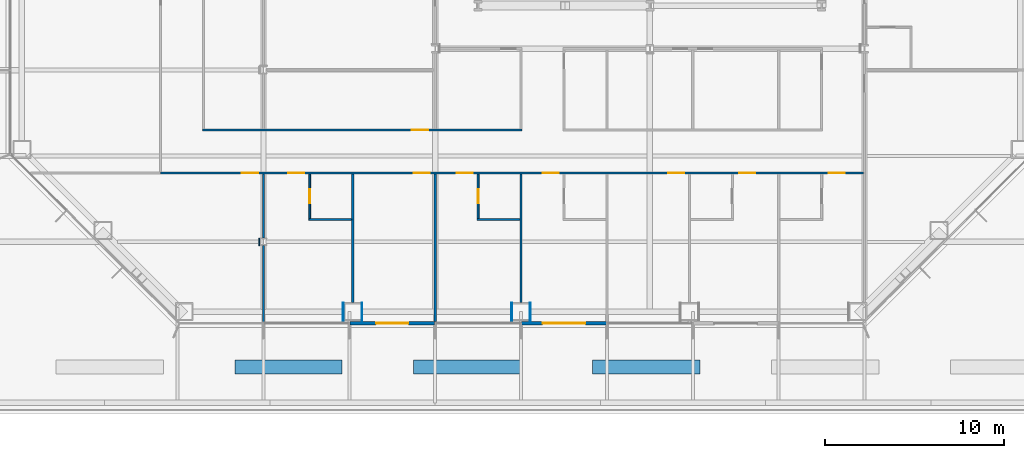
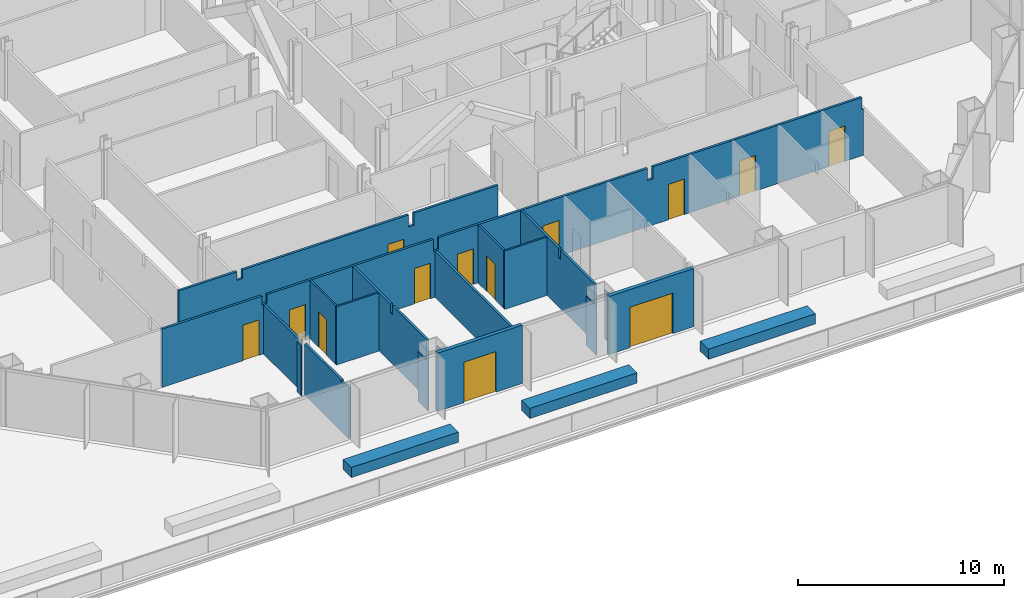
# One storey, part 9 of 18: 21 walls, 13 doors, 13 openings.
"""IFC4 building model written with IfcOpenShell, lengths in metres."""

from ifc_helpers import new_model, si_unit, direction, frame, frame_2d, origin, place, context, subcontext, project, spatial, polyline, rectangle, outline, extrude, material, layer, layer_set, type_object, element, fill, save


model = new_model("IFC4")

# Units and contexts
model_context = context("Model", 3, precision=1e-05, world=origin(), true_north=direction((0.0, 1.0)))
body_context = subcontext(model_context, "Body", "Model", "MODEL_VIEW")
ifc_project = project(units=[si_unit("LENGTHUNIT", "METRE"), si_unit("AREAUNIT", "SQUARE_METRE"), si_unit("VOLUMEUNIT", "CUBIC_METRE"), si_unit("PLANEANGLEUNIT", "RADIAN"), si_unit("MASSUNIT", "GRAM", prefix="KILO")], contexts=[model_context])

# Site, building, storey
site_placement = place(None, origin())
site = spatial("IfcSite", under=ifc_project, at=site_placement, CompositionType="ELEMENT")
building_placement = place(site_placement, origin())
building = spatial("IfcBuilding", under=site, at=building_placement, Name="Cairn Pilgrim Tower", CompositionType="ELEMENT")
storey_placement = place(building_placement, frame((0.0, 0.0, 40.199951171875)))
storey = spatial("IfcBuildingStorey", under=building, at=storey_placement, Name="L07", CompositionType="ELEMENT", Elevation=40.199951171875)

# Wall, opening, door
ifc_material_1 = material(Name="Bronze anodised aluminium insulated sandwich panel with mineral wool fill", Category="aluminium")
ifc_layer_1 = layer(ifc_material_1, 0.199951171875)
ifc_layer_set_1 = layer_set([ifc_layer_1], Name="BRONZE INFILL FRAME WALL 200")
wall_type_1 = type_object("IfcWallType", Name="BRONZE INFILL FRAME WALL 200", PredefinedType="NOTDEFINED", material=ifc_layer_set_1)
wall_1_placement = place(storey_placement, frame((-9.570068359375, -23.75, 0.0), z_axis=(0.0, 0.0, 1.0), x_axis=(1.0, 0.0, 0.0)))
wall_1 = element("IfcWall", 1, at=wall_1_placement, inside=storey, type_object=wall_type_1, Name="Bronze infill frame wall IW-S3", PredefinedType="NOTDEFINED", context=body_context, shape_type="SweptSolid", body=[
    extrude(rectangle(XDim=4.739990234375, YDim=0.199951171875, at=frame_2d((2.3701171875, 0.0))), origin(), (0.0, 0.0, 1.0), 3.449951171875),
])
opening_1_placement = place(wall_1_placement, frame((1.469970703125, 0.0, 0.0)))
opening_1 = element("IfcOpeningElement", 2, at=opening_1_placement, cuts=wall_1, Name="Opening 0703B", PredefinedType="OPENING", context=body_context, shape_type="SweptSolid", body=[
    extrude(rectangle(XDim=1.800048828125, YDim=2.39990234375, at=frame_2d((0.89990234375, 1.199951171875))), frame((0.0, 0.10986328125, 0.0), z_axis=(0.0, -1.0, 0.0), x_axis=(1.0, 0.0, 0.0)), (0.0, 0.0, 1.0), 0.219970703125),
])
ifc_material_2 = material(Name="Bronze anodised aluminium frame with tinted low-E glass", Category="aluminium")
door_type_1 = type_object("IfcDoorType", Name="BALCONY SLIDING DOOR 1800x2400", OperationType="DOUBLE_DOOR_SLIDING", PredefinedType="DOOR", material=ifc_material_2)
door_1_placement = place(opening_1_placement, origin())
door_1 = element("IfcDoor", 3, at=door_1_placement, inside=storey, type_object=door_type_1, Name="Balcony sliding door 0703B", OperationType="SINGLE_SWING_LEFT", OverallHeight=2.39990234375, OverallWidth=1.800048828125, PredefinedType="DOOR", context=body_context, shape_type="SweptSolid", body=[
    extrude(rectangle(XDim=1.800048828125, YDim=2.39990234375, at=frame_2d((0.89990234375, 1.199951171875))), frame((0.0, 0.02490234375, 0.0), z_axis=(0.0, -1.0, 0.0), x_axis=(1.0, 0.0, 0.0)), (0.0, 0.0, 1.0), 0.050048828125),
])
fill(opening_1, door_1)

wall_2_placement = place(storey_placement, frame((0.030029296875, -23.75, 0.0), z_axis=(0.0, 0.0, 1.0), x_axis=(1.0, 0.0, 0.0)))
wall_2 = element("IfcWall", 4, at=wall_2_placement, inside=storey, type_object=wall_type_1, Name="Bronze infill frame wall IW-S5", PredefinedType="NOTDEFINED", context=body_context, shape_type="SweptSolid", body=[
    extrude(rectangle(XDim=4.739990234375, YDim=0.199951171875, at=frame_2d((2.3701171875, 0.0))), origin(), (0.0, 0.0, 1.0), 3.449951171875),
])
opening_2_placement = place(wall_2_placement, frame((1.169921875, 0.0, 0.0)))
opening_2 = element("IfcOpeningElement", 5, at=opening_2_placement, cuts=wall_2, Name="Opening 0705B", PredefinedType="OPENING", context=body_context, shape_type="SweptSolid", body=[
    extrude(rectangle(XDim=2.39990234375, YDim=2.39990234375, at=frame_2d((1.199951171875, 1.199951171875))), frame((0.0, 0.10986328125, 0.0), z_axis=(0.0, -1.0, 0.0), x_axis=(1.0, 0.0, 0.0)), (0.0, 0.0, 1.0), 0.219970703125),
])
door_type_2 = type_object("IfcDoorType", Name="BALCONY SLIDING DOOR 2400x2400", OperationType="DOUBLE_DOOR_SLIDING", PredefinedType="DOOR", material=ifc_material_2)
door_2_placement = place(opening_2_placement, origin())
door_2 = element("IfcDoor", 6, at=door_2_placement, inside=storey, type_object=door_type_2, Name="Balcony sliding door 0705B", OperationType="SINGLE_SWING_LEFT", OverallHeight=2.39990234375, OverallWidth=2.39990234375, PredefinedType="DOOR", context=body_context, shape_type="SweptSolid", body=[
    extrude(rectangle(XDim=2.39990234375, YDim=2.39990234375, at=frame_2d((1.199951171875, 1.199951171875))), frame((0.0, 0.02490234375, 0.0), z_axis=(0.0, -1.0, 0.0), x_axis=(1.0, 0.0, 0.0)), (0.0, 0.0, 1.0), 0.050048828125),
])
fill(opening_2, door_2)

# Wall
ifc_material_3 = material(Name="Gypsum partition")
ifc_layer_2 = layer(ifc_material_3, 0.10009765625)
ifc_layer_set_2 = layer_set([ifc_layer_2], Name="PARTITION 100 DRYWALL")
wall_type_2 = type_object("IfcWallType", Name="PARTITION 100 DRYWALL", PredefinedType="PARTITIONING", material=ifc_layer_set_2)
wall_3_placement = place(storey_placement, frame((-11.864013671875, -17.949951171875, 0.0), z_axis=(0.0, 0.0, 1.0), x_axis=(1.0, 0.0, 0.0)))
element("IfcWall", 7, at=wall_3_placement, inside=storey, type_object=wall_type_2, Name="PARTITION W011", PredefinedType="PARTITIONING", context=body_context, shape_type="SweptSolid", body=[
    extrude(rectangle(XDim=2.387451171875, YDim=0.10009765625, at=frame_2d((1.19384765625, 0.0))), origin(), (0.0, 0.0, 1.0), 3.449951171875),
])

# Wall, opening, door
wall_4_placement = place(storey_placement, frame((-11.81396484375, -17.89990234375, 0.0), z_axis=(0.0, 0.0, 1.0), x_axis=(0.0, 1.0, 0.0)))
wall_4 = element("IfcWall", 8, at=wall_4_placement, inside=storey, type_object=wall_type_2, Name="PARTITION W012", PredefinedType="PARTITIONING", context=body_context, shape_type="SweptSolid", body=[
    extrude(rectangle(XDim=2.4873046875, YDim=0.10009765625, at=frame_2d((1.24365234375, 0.0))), origin(), (0.0, 0.0, 1.0), 3.449951171875),
])
opening_3_placement = place(wall_4_placement, frame((0.85009765625, 0.0, 0.0)))
opening_3 = element("IfcOpeningElement", 9, at=opening_3_placement, cuts=wall_4, Name="Opening 0702E", PredefinedType="OPENING", context=body_context, shape_type="SweptSolid", body=[
    extrude(rectangle(XDim=0.800048828125, YDim=2.10009765625, at=frame_2d((0.39990234375, 1.050048828125))), frame((0.0, 0.06005859375, 0.0), z_axis=(0.0, -1.0, 0.0), x_axis=(1.0, 0.0, 0.0)), (0.0, 0.0, 1.0), 0.1201171875),
])
ifc_material_4 = material(Name="Timber door leaf", Category="wood")
door_type_3 = type_object("IfcDoorType", Name="DOOR 800x2100", OperationType="NOTDEFINED", PredefinedType="DOOR", material=ifc_material_4)
door_3_placement = place(opening_3_placement, frame((0.800048828125, 0.0, 0.0), z_axis=(0.0, 0.0, 1.0), x_axis=(-1.0, 0.0, 0.0)))
door_3 = element("IfcDoor", 10, at=door_3_placement, inside=storey, type_object=door_type_3, Name="DOOR 0702E", OperationType="SINGLE_SWING_RIGHT", OverallHeight=2.10009765625, OverallWidth=0.800048828125, PredefinedType="DOOR", context=body_context, shape_type="SweptSolid", body=[
    extrude(rectangle(XDim=0.800048828125, YDim=2.10009765625, at=frame_2d((0.39990234375, 1.050048828125))), frame((0.0, 0.02490234375, 0.0), z_axis=(0.0, -1.0, 0.0), x_axis=(1.0, 0.0, 0.0)), (0.0, 0.0, 1.0), 0.050048828125),
])
fill(opening_3, door_3)

# Wall
wall_5_placement = place(storey_placement, frame((-2.449951171875, -17.949951171875, 0.0), z_axis=(0.0, 0.0, 1.0), x_axis=(1.0, 0.0, 0.0)))
element("IfcWall", 11, at=wall_5_placement, inside=storey, type_object=wall_type_2, Name="PARTITION W013", PredefinedType="PARTITIONING", context=body_context, shape_type="SweptSolid", body=[
    extrude(rectangle(XDim=2.387451171875, YDim=0.10009765625, at=frame_2d((1.19384765625, 0.0))), origin(), (0.0, 0.0, 1.0), 3.449951171875),
])

# Wall, opening, door
wall_6_placement = place(storey_placement, frame((-2.39990234375, -17.89990234375, 0.0), z_axis=(0.0, 0.0, 1.0), x_axis=(0.0, 1.0, 0.0)))
wall_6 = element("IfcWall", 12, at=wall_6_placement, inside=storey, type_object=wall_type_2, Name="PARTITION W014", PredefinedType="PARTITIONING", context=body_context, shape_type="SweptSolid", body=[
    extrude(rectangle(XDim=2.4873046875, YDim=0.10009765625, at=frame_2d((1.24365234375, 0.0))), origin(), (0.0, 0.0, 1.0), 3.449951171875),
])
opening_4_placement = place(wall_6_placement, frame((0.85009765625, 0.0, 0.0)))
opening_4 = element("IfcOpeningElement", 13, at=opening_4_placement, cuts=wall_6, Name="Opening 0704E", PredefinedType="OPENING", context=body_context, shape_type="SweptSolid", body=[
    extrude(rectangle(XDim=0.800048828125, YDim=2.10009765625, at=frame_2d((0.39990234375, 1.050048828125))), frame((0.0, 0.06005859375, 0.0), z_axis=(0.0, -1.0, 0.0), x_axis=(1.0, 0.0, 0.0)), (0.0, 0.0, 1.0), 0.1201171875),
])
door_4_placement = place(opening_4_placement, frame((0.800048828125, 0.0, 0.0), z_axis=(0.0, 0.0, 1.0), x_axis=(-1.0, 0.0, 0.0)))
door_4 = element("IfcDoor", 14, at=door_4_placement, inside=storey, type_object=door_type_3, Name="DOOR 0704E", OperationType="SINGLE_SWING_LEFT", OverallHeight=2.10009765625, OverallWidth=0.800048828125, PredefinedType="DOOR", context=body_context, shape_type="SweptSolid", body=[
    extrude(rectangle(XDim=0.800048828125, YDim=2.10009765625, at=frame_2d((0.39990234375, 1.050048828125))), frame((0.0, 0.02490234375, 0.0), z_axis=(0.0, -1.0, 0.0), x_axis=(1.0, 0.0, 0.0)), (0.0, 0.0, 1.0), 0.050048828125),
])
fill(opening_4, door_4)

# Walls
ifc_layer_3 = layer(ifc_material_3, 0.125)
ifc_layer_set_3 = layer_set([ifc_layer_3], Name="PARTITION 125 DRYWALL EI 60")
wall_type_3 = type_object("IfcWallType", Name="PARTITION 125 DRYWALL EI 60", PredefinedType="PARTITIONING", material=ifc_layer_set_3)
wall_7_placement = place(storey_placement, frame((-14.39990234375, -23.68994140625, 0.0), z_axis=(0.0, 0.0, 1.0), x_axis=(0.0, 1.0, 0.0)))
element("IfcWall", 15, at=wall_7_placement, inside=storey, type_object=wall_type_3, Name="PARTITION W001", PredefinedType="PARTITIONING", context=body_context, shape_type="SweptSolid", body=[
    extrude(outline(polyline([(0.0, 0.0), (4.27734375, 0.0), (4.277587890625, 3.030029296875), (0.739990234375, 3.030029296875), (0.738037109375, 2.929931640625), (0.43994140625, 2.929931640625), (0.43798828125, 3.030029296875), (0.0, 3.030029296875), (0.0, 0.0)])), frame((0.0, 0.0625, 0.0), z_axis=(0.0, -1.0, 0.0), x_axis=(1.0, 0.0, 0.0)), (0.0, 0.0, 1.0), 0.125),
])
wall_8_placement = place(storey_placement, frame((-4.800048828125, -23.64990234375, 0.0), z_axis=(0.0, 0.0, 1.0), x_axis=(0.0, 1.0, 0.0)))
element("IfcWall", 16, at=wall_8_placement, inside=storey, type_object=wall_type_3, Name="PARTITION W002", PredefinedType="PARTITIONING", context=body_context, shape_type="SweptSolid", body=[
    extrude(rectangle(XDim=8.2373046875, YDim=0.125, at=frame_2d((4.11865234375, 0.0))), origin(), (0.0, 0.0, 1.0), 2.72998046875),
])
wall_9_placement = place(storey_placement, frame((-9.4140625, -22.60009765625, 0.0), z_axis=(0.0, 0.0, 1.0), x_axis=(0.0, 1.0, 0.0)))
element("IfcWall", 17, at=wall_9_placement, inside=storey, type_object=wall_type_3, Name="PARTITION W006", PredefinedType="PARTITIONING", context=body_context, shape_type="SweptSolid", body=[
    extrude(outline(polyline([(0.0, 0.0), (7.1875, 0.0), (7.1875, 3.449951171875), (3.5, 3.449951171875), (3.498046875, 2.929931640625), (3.300048828125, 2.929931640625), (3.298095703125, 3.449951171875), (0.0, 3.449951171875), (0.0, 0.0)])), frame((0.0, 0.0625, 0.0), z_axis=(0.0, -1.0, 0.0), x_axis=(1.0, 0.0, 0.0)), (0.0, 0.0, 1.0), 0.125),
])
wall_10_placement = place(storey_placement, frame((0.0, -22.60009765625, 0.0), z_axis=(0.0, 0.0, 1.0), x_axis=(0.0, 1.0, 0.0)))
element("IfcWall", 18, at=wall_10_placement, inside=storey, type_object=wall_type_3, Name="PARTITION W007", PredefinedType="PARTITIONING", context=body_context, shape_type="SweptSolid", body=[
    extrude(outline(polyline([(0.0, 0.0), (7.1875, 0.0), (7.1875, 3.449951171875), (3.5048828125, 3.449951171875), (3.5029296875, 2.880126953125), (3.294921875, 2.880126953125), (3.29296875, 3.449951171875), (0.0, 3.449951171875), (0.0, 0.0)])), frame((0.0, 0.0625, 0.0), z_axis=(0.0, -1.0, 0.0), x_axis=(1.0, 0.0, 0.0)), (0.0, 0.0, 1.0), 0.125),
])
wall_11_placement = place(storey_placement, frame((-14.39990234375, -18.987548828125, 0.0), z_axis=(0.0, 0.0, 1.0), x_axis=(0.0, 1.0, 0.0)))
element("IfcWall", 19, at=wall_11_placement, inside=storey, type_object=wall_type_3, Name="PARTITION W010", PredefinedType="PARTITIONING", context=body_context, shape_type="SweptSolid", body=[
    extrude(rectangle(XDim=3.574951171875, YDim=0.125, at=frame_2d((1.78759765625, 0.0))), origin(), (0.0, 0.0, 1.0), 2.929931640625),
])

# Wall, openings, doors
wall_12_placement = place(storey_placement, frame((-20.14990234375, -15.35009765625, 0.0), z_axis=(0.0, 0.0, 1.0), x_axis=(1.0, 0.0, 0.0)))
wall_12 = element("IfcWall", 20, at=wall_12_placement, inside=storey, type_object=wall_type_3, Name="PARTITION W022", PredefinedType="PARTITIONING", context=body_context, shape_type="SweptSolid", body=[
    extrude(outline(polyline([(0.0, 0.0), (39.287353515625, 0.0), (39.28759765625, 2.72998046875), (39.199951171875, 2.72998046875), (39.197998046875, 3.449951171875), (27.5, 3.449951171875), (27.498046875, 2.72998046875), (27.199951171875, 2.72998046875), (27.197998046875, 3.449951171875), (15.5, 3.449951171875), (15.498046875, 2.72998046875), (15.199951171875, 2.72998046875), (15.197998046875, 3.449951171875), (5.89990234375, 3.449951171875), (5.89794921875, 2.929931640625), (5.60009765625, 2.929931640625), (5.597900390625, 3.449951171875), (0.0, 3.449951171875), (0.0, 0.0)])), frame((0.0, 0.0625, 0.0), z_axis=(0.0, -1.0, 0.0), x_axis=(1.0, 0.0, 0.0)), (0.0, 0.0, 1.0), 0.125),
])
opening_5_placement = place(wall_12_placement, frame((4.550048828125, 0.0, 0.0)))
opening_5 = element("IfcOpeningElement", 21, at=opening_5_placement, cuts=wall_12, Name="Opening 0701", PredefinedType="OPENING", context=body_context, shape_type="SweptSolid", body=[
    extrude(rectangle(XDim=0.89990234375, YDim=2.10009765625, at=frame_2d((0.449951171875, 1.050048828125))), frame((0.0, 0.072509765625, 0.0), z_axis=(0.0, -1.0, 0.0), x_axis=(1.0, 0.0, 0.0)), (0.0, 0.0, 1.0), 0.14501953125),
])
opening_6_placement = place(wall_12_placement, frame((7.135986328125, 0.0, 0.0)))
opening_6 = element("IfcOpeningElement", 22, at=opening_6_placement, cuts=wall_12, Name="Opening 0702", PredefinedType="OPENING", context=body_context, shape_type="SweptSolid", body=[
    extrude(rectangle(XDim=0.89990234375, YDim=2.10009765625, at=frame_2d((0.449951171875, 1.050048828125))), frame((0.0, 0.072509765625, 0.0), z_axis=(0.0, -1.0, 0.0), x_axis=(1.0, 0.0, 0.0)), (0.0, 0.0, 1.0), 0.14501953125),
])
opening_7_placement = place(wall_12_placement, frame((14.14990234375, 0.0, 0.0)))
opening_7 = element("IfcOpeningElement", 23, at=opening_7_placement, cuts=wall_12, Name="Opening 0703", PredefinedType="OPENING", context=body_context, shape_type="SweptSolid", body=[
    extrude(rectangle(XDim=0.89990234375, YDim=2.10009765625, at=frame_2d((0.449951171875, 1.050048828125))), frame((0.0, 0.072509765625, 0.0), z_axis=(0.0, -1.0, 0.0), x_axis=(1.0, 0.0, 0.0)), (0.0, 0.0, 1.0), 0.14501953125),
])
opening_8_placement = place(wall_12_placement, frame((16.550048828125, 0.0, 0.0)))
opening_8 = element("IfcOpeningElement", 24, at=opening_8_placement, cuts=wall_12, Name="Opening 0704", PredefinedType="OPENING", context=body_context, shape_type="SweptSolid", body=[
    extrude(rectangle(XDim=0.89990234375, YDim=2.10009765625, at=frame_2d((0.449951171875, 1.050048828125))), frame((0.0, 0.072509765625, 0.0), z_axis=(0.0, -1.0, 0.0), x_axis=(1.0, 0.0, 0.0)), (0.0, 0.0, 1.0), 0.14501953125),
])
opening_9_placement = place(wall_12_placement, frame((21.35009765625, 0.0, 0.0)))
opening_9 = element("IfcOpeningElement", 25, at=opening_9_placement, cuts=wall_12, Name="Opening 0705", PredefinedType="OPENING", context=body_context, shape_type="SweptSolid", body=[
    extrude(rectangle(XDim=0.89990234375, YDim=2.10009765625, at=frame_2d((0.449951171875, 1.050048828125))), frame((0.0, 0.072509765625, 0.0), z_axis=(0.0, -1.0, 0.0), x_axis=(1.0, 0.0, 0.0)), (0.0, 0.0, 1.0), 0.14501953125),
])
opening_10_placement = place(wall_12_placement, frame((28.364013671875, 0.0, 0.0)))
opening_10 = element("IfcOpeningElement", 26, at=opening_10_placement, cuts=wall_12, Name="Opening 0706", PredefinedType="OPENING", context=body_context, shape_type="SweptSolid", body=[
    extrude(rectangle(XDim=0.89990234375, YDim=2.10009765625, at=frame_2d((0.449951171875, 1.050048828125))), frame((0.0, 0.072509765625, 0.0), z_axis=(0.0, -1.0, 0.0), x_axis=(1.0, 0.0, 0.0)), (0.0, 0.0, 1.0), 0.14501953125),
])
opening_11_placement = place(wall_12_placement, frame((32.35009765625, 0.0, 0.0)))
opening_11 = element("IfcOpeningElement", 27, at=opening_11_placement, cuts=wall_12, Name="Opening 0707", PredefinedType="OPENING", context=body_context, shape_type="SweptSolid", body=[
    extrude(rectangle(XDim=0.89990234375, YDim=2.10009765625, at=frame_2d((0.449951171875, 1.050048828125))), frame((0.0, 0.072509765625, 0.0), z_axis=(0.0, -1.0, 0.0), x_axis=(1.0, 0.0, 0.0)), (0.0, 0.0, 1.0), 0.14501953125),
])
opening_12_placement = place(wall_12_placement, frame((37.35009765625, 0.0, 0.0)))
opening_12 = element("IfcOpeningElement", 28, at=opening_12_placement, cuts=wall_12, Name="Opening 0708", PredefinedType="OPENING", context=body_context, shape_type="SweptSolid", body=[
    extrude(rectangle(XDim=0.89990234375, YDim=2.10009765625, at=frame_2d((0.449951171875, 1.050048828125))), frame((0.0, 0.072509765625, 0.0), z_axis=(0.0, -1.0, 0.0), x_axis=(1.0, 0.0, 0.0)), (0.0, 0.0, 1.0), 0.14501953125),
])
ifc_material_5 = material(Name="Steel-faced fire door leaf", Category="steel")
door_type_4 = type_object("IfcDoorType", Name="FIRE DOOR 900x2100 FD30S", OperationType="NOTDEFINED", PredefinedType="DOOR", material=ifc_material_5)
door_5_placement = place(opening_5_placement, frame((0.89990234375, 0.0, 0.0), z_axis=(0.0, 0.0, 1.0), x_axis=(-1.0, 0.0, 0.0)))
door_5 = element("IfcDoor", 29, at=door_5_placement, inside=storey, type_object=door_type_4, Name="DOOR 0701", OperationType="SINGLE_SWING_RIGHT", OverallHeight=2.10009765625, OverallWidth=0.89990234375, PredefinedType="DOOR", context=body_context, shape_type="SweptSolid", body=[
    extrude(rectangle(XDim=0.89990234375, YDim=2.10009765625, at=frame_2d((0.449951171875, 1.050048828125))), frame((0.0, 0.02490234375, 0.0), z_axis=(0.0, -1.0, 0.0), x_axis=(1.0, 0.0, 0.0)), (0.0, 0.0, 1.0), 0.050048828125),
])
fill(opening_5, door_5)
door_6_placement = place(opening_6_placement, frame((0.89990234375, 0.0, 0.0), z_axis=(0.0, 0.0, 1.0), x_axis=(-1.0, 0.0, 0.0)))
door_6 = element("IfcDoor", 30, at=door_6_placement, inside=storey, type_object=door_type_4, Name="DOOR 0702", OperationType="SINGLE_SWING_LEFT", OverallHeight=2.10009765625, OverallWidth=0.89990234375, PredefinedType="DOOR", context=body_context, shape_type="SweptSolid", body=[
    extrude(rectangle(XDim=0.89990234375, YDim=2.10009765625, at=frame_2d((0.449951171875, 1.050048828125))), frame((0.0, 0.02490234375, 0.0), z_axis=(0.0, -1.0, 0.0), x_axis=(1.0, 0.0, 0.0)), (0.0, 0.0, 1.0), 0.050048828125),
])
fill(opening_6, door_6)
door_7_placement = place(opening_7_placement, frame((0.89990234375, 0.0, 0.0), z_axis=(0.0, 0.0, 1.0), x_axis=(-1.0, 0.0, 0.0)))
door_7 = element("IfcDoor", 31, at=door_7_placement, inside=storey, type_object=door_type_4, Name="DOOR 0703", OperationType="SINGLE_SWING_LEFT", OverallHeight=2.10009765625, OverallWidth=0.89990234375, PredefinedType="DOOR", context=body_context, shape_type="SweptSolid", body=[
    extrude(rectangle(XDim=0.89990234375, YDim=2.10009765625, at=frame_2d((0.449951171875, 1.050048828125))), frame((0.0, 0.02490234375, 0.0), z_axis=(0.0, -1.0, 0.0), x_axis=(1.0, 0.0, 0.0)), (0.0, 0.0, 1.0), 0.050048828125),
])
fill(opening_7, door_7)
door_8_placement = place(opening_8_placement, frame((0.89990234375, 0.0, 0.0), z_axis=(0.0, 0.0, 1.0), x_axis=(-1.0, 0.0, 0.0)))
door_8 = element("IfcDoor", 32, at=door_8_placement, inside=storey, type_object=door_type_4, Name="DOOR 0704", OperationType="SINGLE_SWING_RIGHT", OverallHeight=2.10009765625, OverallWidth=0.89990234375, PredefinedType="DOOR", context=body_context, shape_type="SweptSolid", body=[
    extrude(rectangle(XDim=0.89990234375, YDim=2.10009765625, at=frame_2d((0.449951171875, 1.050048828125))), frame((0.0, 0.02490234375, 0.0), z_axis=(0.0, -1.0, 0.0), x_axis=(1.0, 0.0, 0.0)), (0.0, 0.0, 1.0), 0.050048828125),
])
fill(opening_8, door_8)
door_9_placement = place(opening_9_placement, frame((0.89990234375, 0.0, 0.0), z_axis=(0.0, 0.0, 1.0), x_axis=(-1.0, 0.0, 0.0)))
door_9 = element("IfcDoor", 33, at=door_9_placement, inside=storey, type_object=door_type_4, Name="DOOR 0705", OperationType="SINGLE_SWING_RIGHT", OverallHeight=2.10009765625, OverallWidth=0.89990234375, PredefinedType="DOOR", context=body_context, shape_type="SweptSolid", body=[
    extrude(rectangle(XDim=0.89990234375, YDim=2.10009765625, at=frame_2d((0.449951171875, 1.050048828125))), frame((0.0, 0.02490234375, 0.0), z_axis=(0.0, -1.0, 0.0), x_axis=(1.0, 0.0, 0.0)), (0.0, 0.0, 1.0), 0.050048828125),
])
fill(opening_9, door_9)
door_10_placement = place(opening_10_placement, frame((0.89990234375, 0.0, 0.0), z_axis=(0.0, 0.0, 1.0), x_axis=(-1.0, 0.0, 0.0)))
door_10 = element("IfcDoor", 34, at=door_10_placement, inside=storey, type_object=door_type_4, Name="DOOR 0706", OperationType="SINGLE_SWING_RIGHT", OverallHeight=2.10009765625, OverallWidth=0.89990234375, PredefinedType="DOOR", context=body_context, shape_type="SweptSolid", body=[
    extrude(rectangle(XDim=0.89990234375, YDim=2.10009765625, at=frame_2d((0.449951171875, 1.050048828125))), frame((0.0, 0.02490234375, 0.0), z_axis=(0.0, -1.0, 0.0), x_axis=(1.0, 0.0, 0.0)), (0.0, 0.0, 1.0), 0.050048828125),
])
fill(opening_10, door_10)
door_11_placement = place(opening_11_placement, frame((0.89990234375, 0.0, 0.0), z_axis=(0.0, 0.0, 1.0), x_axis=(-1.0, 0.0, 0.0)))
door_11 = element("IfcDoor", 35, at=door_11_placement, inside=storey, type_object=door_type_4, Name="DOOR 0707", OperationType="SINGLE_SWING_LEFT", OverallHeight=2.10009765625, OverallWidth=0.89990234375, PredefinedType="DOOR", context=body_context, shape_type="SweptSolid", body=[
    extrude(rectangle(XDim=0.89990234375, YDim=2.10009765625, at=frame_2d((0.449951171875, 1.050048828125))), frame((0.0, 0.02490234375, 0.0), z_axis=(0.0, -1.0, 0.0), x_axis=(1.0, 0.0, 0.0)), (0.0, 0.0, 1.0), 0.050048828125),
])
fill(opening_11, door_11)
door_12_placement = place(opening_12_placement, frame((0.89990234375, 0.0, 0.0), z_axis=(0.0, 0.0, 1.0), x_axis=(-1.0, 0.0, 0.0)))
door_12 = element("IfcDoor", 36, at=door_12_placement, inside=storey, type_object=door_type_4, Name="DOOR 0708", OperationType="SINGLE_SWING_LEFT", OverallHeight=2.10009765625, OverallWidth=0.89990234375, PredefinedType="DOOR", context=body_context, shape_type="SweptSolid", body=[
    extrude(rectangle(XDim=0.89990234375, YDim=2.10009765625, at=frame_2d((0.449951171875, 1.050048828125))), frame((0.0, 0.02490234375, 0.0), z_axis=(0.0, -1.0, 0.0), x_axis=(1.0, 0.0, 0.0)), (0.0, 0.0, 1.0), 0.050048828125),
])
fill(opening_12, door_12)

# Wall, opening, door
wall_13_placement = place(storey_placement, frame((-17.8125, -12.949951171875, 0.0), z_axis=(0.0, 0.0, 1.0), x_axis=(1.0, 0.0, 0.0)))
wall_13 = element("IfcWall", 37, at=wall_13_placement, inside=storey, type_object=wall_type_3, Name="PARTITION W025", PredefinedType="PARTITIONING", context=body_context, shape_type="SweptSolid", body=[
    extrude(outline(polyline([(0.0, 0.0), (17.875, 0.0), (17.875, 3.449951171875), (13.16259765625, 3.449951171875), (13.160400390625, 2.72998046875), (12.862548828125, 2.72998046875), (12.860595703125, 3.449951171875), (3.5625, 3.449951171875), (3.560546875, 2.929931640625), (3.262451171875, 2.929931640625), (3.260498046875, 3.449951171875), (0.0, 3.449951171875), (0.0, 0.0)])), frame((0.0, 0.0625, 0.0), z_axis=(0.0, -1.0, 0.0), x_axis=(1.0, 0.0, 0.0)), (0.0, 0.0, 1.0), 0.125),
])
opening_13_placement = place(wall_13_placement, frame((11.71240234375, 0.0, 0.0)))
opening_13 = element("IfcOpeningElement", 38, at=opening_13_placement, cuts=wall_13, Name="Opening 0727", PredefinedType="OPENING", context=body_context, shape_type="SweptSolid", body=[
    extrude(rectangle(XDim=0.89990234375, YDim=2.10009765625, at=frame_2d((0.449951171875, 1.050048828125))), frame((0.0, 0.072509765625, 0.0), z_axis=(0.0, -1.0, 0.0), x_axis=(1.0, 0.0, 0.0)), (0.0, 0.0, 1.0), 0.14501953125),
])
door_13_placement = place(opening_13_placement, origin())
door_13 = element("IfcDoor", 39, at=door_13_placement, inside=storey, type_object=door_type_4, Name="DOOR 0727", OperationType="SINGLE_SWING_RIGHT", OverallHeight=2.10009765625, OverallWidth=0.89990234375, PredefinedType="DOOR", context=body_context, shape_type="SweptSolid", body=[
    extrude(rectangle(XDim=0.89990234375, YDim=2.10009765625, at=frame_2d((0.449951171875, 1.050048828125))), frame((0.0, 0.02490234375, 0.0), z_axis=(0.0, -1.0, 0.0), x_axis=(1.0, 0.0, 0.0)), (0.0, 0.0, 1.0), 0.050048828125),
])
fill(opening_13, door_13)

# Walls
ifc_layer_4 = layer(ifc_material_3, 0.050048828125)
ifc_layer_set_4 = layer_set([ifc_layer_4], Name="PARTITION 50 DRYWALL EI 60")
wall_type_4 = type_object("IfcWallType", Name="PARTITION 50 DRYWALL EI 60", PredefinedType="PARTITIONING", material=ifc_layer_set_4)
wall_14_placement = place(storey_placement, frame((-14.62939453125, -19.41259765625, 0.0), z_axis=(0.0, 0.0, 1.0), x_axis=(0.0, 1.0, 0.0)))
element("IfcWall", 40, at=wall_14_placement, inside=storey, type_object=wall_type_4, Name="COLUMN CASING WC01", PredefinedType="PARTITIONING", context=body_context, shape_type="SweptSolid", body=[
    extrude(rectangle(XDim=0.425048828125, YDim=0.050048828125, at=frame_2d((0.21240234375, 0.0))), origin(), (0.0, 0.0, 1.0), 2.97998046875),
])
for number, where, z_axis, x_axis, name in (
    (41, (-0.52490234375, -23.60009765625, 0.0), (0.0, 0.0, 1.0), (0.0, 1.0, 0.0), "COLUMN CASING WC02"),
    (42, (0.52490234375, -23.60009765625, 0.0), (0.0, 0.0, 1.0), (0.0, 1.0, 0.0), "COLUMN CASING WC03"),
    (43, (-9.938720703125, -23.60009765625, 0.0), (0.0, 0.0, 1.0), (0.0, 1.0, 0.0), "COLUMN CASING WC06"),
    (44, (-8.888671875, -23.60009765625, 0.0), (0.0, 0.0, 1.0), (0.0, 1.0, 0.0), "COLUMN CASING WC07"),
):
    element("IfcWall", number, at=place(storey_placement, frame(where, z_axis=z_axis, x_axis=x_axis)), inside=storey, type_object=wall_type_4, Name=name, PredefinedType="PARTITIONING", context=body_context, shape_type="SweptSolid", body=[
        extrude(rectangle(XDim=1.0, YDim=0.050048828125, at=frame_2d((0.5, 0.0))), origin(), (0.0, 0.0, 1.0), 2.929931640625),
    ])
ifc_material_6 = material(Name="Concrete C35/45", Category="concrete")
ifc_layer_5 = layer(ifc_material_6, 0.800048828125)
ifc_layer_set_5 = layer_set([ifc_layer_5], Name="PLANTER TROUGH WALL 800 CONCRETE C35/45")
wall_type_5 = type_object("IfcWallType", Name="PLANTER TROUGH WALL 800 CONCRETE C35/45", PredefinedType="NOTDEFINED", material=ifc_layer_set_5)
for number, where, z_axis, x_axis, name in (
    (45, (-16.0, -26.199951171875, 0.0), (0.0, 0.0, 1.0), (1.0, 0.0, 0.0), "PLANTER"),
    (46, (-6.0, -26.199951171875, 0.0), (0.0, 0.0, 1.0), (1.0, 0.0, 0.0), "PLANTER"),
    (47, (4.0, -26.199951171875, 0.0), (0.0, 0.0, 1.0), (1.0, 0.0, 0.0), "PLANTER"),
):
    element("IfcWall", number, at=place(storey_placement, frame(where, z_axis=z_axis, x_axis=x_axis)), inside=storey, type_object=wall_type_5, Name=name, PredefinedType="NOTDEFINED", context=body_context, shape_type="SweptSolid", body=[
        extrude(rectangle(XDim=6.0, YDim=0.800048828125, at=frame_2d((3.0, 0.0))), origin(), (0.0, 0.0, 1.0), 0.60009765625),
    ])

save(model, "model.ifc")
